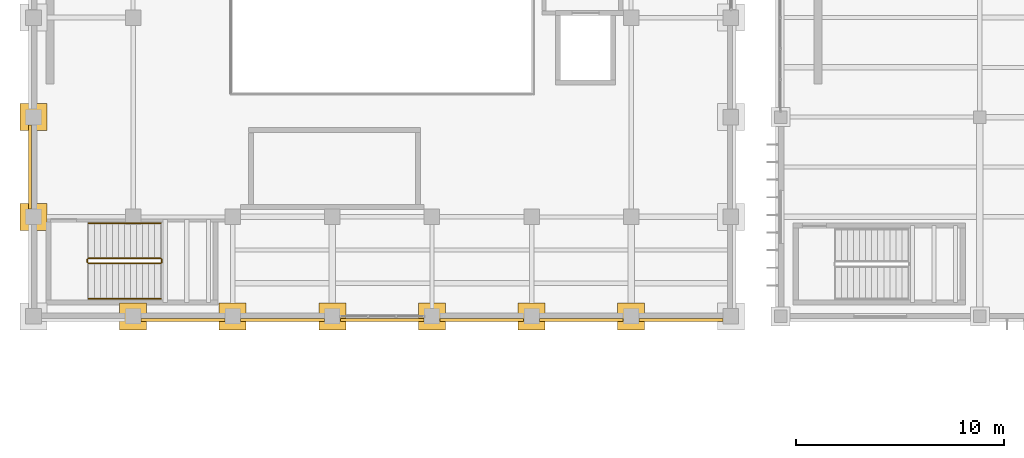
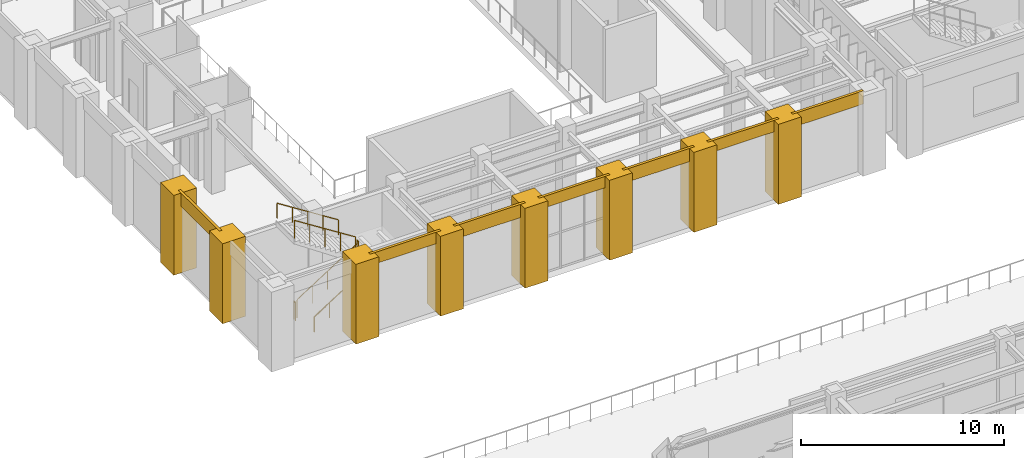
# One storey, part 68 of 83: 15 coverings, 6 railings.
"""IFC4 building model written with IfcOpenShell, lengths in metres."""

from ifc_helpers import new_model, si_unit, direction, frame, origin, origin_2d, place, context, subcontext, project, spatial, polyline, circle, outline, extrude, material, layer, layer_set, type_object, element, save


model = new_model("IFC4")

# Units and contexts
model_context = context("Model", 3, precision=1e-05, world=origin(), true_north=direction((0.0, 1.0)))
body_context = subcontext(model_context, "Body", "Model", "MODEL_VIEW")
ifc_project = project(units=[si_unit("LENGTHUNIT", "METRE"), si_unit("AREAUNIT", "SQUARE_METRE"), si_unit("VOLUMEUNIT", "CUBIC_METRE"), si_unit("PLANEANGLEUNIT", "RADIAN"), si_unit("MASSUNIT", "GRAM", prefix="KILO")], contexts=[model_context])

# Site, building, storey
site_placement = place(None, origin())
site = spatial("IfcSite", under=ifc_project, at=site_placement, CompositionType="ELEMENT")
building_placement = place(site_placement, origin())
building = spatial("IfcBuilding", under=site, at=building_placement, Name="Mavantir Sound Aquarium", CompositionType="ELEMENT")
storey_placement = place(building_placement, frame((0.0, 0.0, 10.5)))
storey = spatial("IfcBuildingStorey", under=building, at=storey_placement, Name="L02", CompositionType="ELEMENT", Elevation=10.5)

# Coverings
ifc_material_1 = material(Name="Honed Coral-Limestone & Glazed Terracotta Rainscreen Cladding", Category="masonry")
ifc_layer = layer(ifc_material_1, 0.06005859375, Name="Honed Coral-Limestone & Glazed Terracotta Rainscreen Cladding")
ifc_layer_set = layer_set([ifc_layer], Name="Honed Coral-Limestone & Glazed Terracotta Rainscreen Cladding")
covering_type = type_object("IfcCoveringType", Name="COV-CLAD-TC", PredefinedType="CLADDING", material=ifc_layer_set)
covering_1_placement = place(storey_placement, frame((0.0, 0.0, 4.008056640625)))
element("IfcCovering", 1, at=covering_1_placement, inside=storey, type_object=covering_type, Name="L02 Postmodern coral-limestone spandrel frieze 305", PredefinedType="CLADDING", context=body_context, shape_type="SweptSolid", body=[
    extrude(outline(polyline([(-0.090087890625, 50.01708984375), (-0.090087890625, 45.98291015625), (-0.239990234375, 45.98291015625), (-0.239990234375, 50.01708984375), (-0.090087890625, 50.01708984375)])), origin(), (0.0, 0.0, 1.0), 0.7919921875),
])
covering_2_placement = place(storey_placement, frame((0.0, 0.0, 4.113037109375)))
element("IfcCovering", 2, at=covering_2_placement, inside=storey, type_object=covering_type, Name="L02 Postmodern coral-limestone spandrel frieze 308", PredefinedType="CLADDING", context=body_context, shape_type="SweptSolid", body=[
    extrude(outline(polyline([(5.18310546875, 40.7099609375), (9.217041015625, 40.7099609375), (9.217041015625, 40.56005859375), (5.18310546875, 40.56005859375), (5.18310546875, 40.7099609375)])), origin(), (0.0, 0.0, 1.0), 0.68701171875),
])
covering_3_placement = place(storey_placement, frame((0.0, 0.0, 4.008056640625)))
element("IfcCovering", 3, at=covering_3_placement, inside=storey, type_object=covering_type, Name="L02 Postmodern coral-limestone spandrel frieze 309", PredefinedType="CLADDING", context=body_context, shape_type="SweptSolid", body=[
    extrude(outline(polyline([(9.98291015625, 40.7099609375), (14.01708984375, 40.7099609375), (14.01708984375, 40.56005859375), (9.98291015625, 40.56005859375), (9.98291015625, 40.7099609375)])), origin(), (0.0, 0.0, 1.0), 0.7919921875),
])
covering_4_placement = place(storey_placement, frame((0.0, 0.0, 4.113037109375)))
element("IfcCovering", 4, at=covering_4_placement, inside=storey, type_object=covering_type, Name="L02 Postmodern coral-limestone spandrel frieze 310", PredefinedType="CLADDING", context=body_context, shape_type="SweptSolid", body=[
    extrude(outline(polyline([(14.782958984375, 40.7099609375), (18.81689453125, 40.7099609375), (18.81689453125, 40.56005859375), (14.782958984375, 40.56005859375), (14.782958984375, 40.7099609375)])), origin(), (0.0, 0.0, 1.0), 0.68701171875),
])
covering_5_placement = place(storey_placement, frame((0.0, 0.0, 4.008056640625)))
element("IfcCovering", 5, at=covering_5_placement, inside=storey, type_object=covering_type, Name="L02 Postmodern coral-limestone spandrel frieze 311", PredefinedType="CLADDING", context=body_context, shape_type="SweptSolid", body=[
    extrude(outline(polyline([(19.5830078125, 40.7099609375), (23.616943359375, 40.7099609375), (23.616943359375, 40.56005859375), (19.5830078125, 40.56005859375), (19.5830078125, 40.7099609375)])), origin(), (0.0, 0.0, 1.0), 0.7919921875),
])
covering_6_placement = place(storey_placement, frame((0.0, 0.0, 4.113037109375)))
element("IfcCovering", 6, at=covering_6_placement, inside=storey, type_object=covering_type, Name="L02 Postmodern coral-limestone spandrel frieze 312", PredefinedType="CLADDING", context=body_context, shape_type="SweptSolid", body=[
    extrude(outline(polyline([(24.383056640625, 40.7099609375), (28.4169921875, 40.7099609375), (28.4169921875, 40.56005859375), (24.383056640625, 40.56005859375), (24.383056640625, 40.7099609375)])), origin(), (0.0, 0.0, 1.0), 0.68701171875),
])
covering_7_placement = place(storey_placement, frame((0.0, 0.0, 4.008056640625)))
element("IfcCovering", 7, at=covering_7_placement, inside=storey, type_object=covering_type, Name="L02 Postmodern coral-limestone spandrel frieze 313", PredefinedType="CLADDING", context=body_context, shape_type="SweptSolid", body=[
    extrude(outline(polyline([(29.18310546875, 40.7099609375), (33.217041015625, 40.7099609375), (33.217041015625, 40.56005859375), (29.18310546875, 40.56005859375), (29.18310546875, 40.7099609375)])), origin(), (0.0, 0.0, 1.0), 0.7919921875),
])
covering_8_placement = place(storey_placement, origin())
element("IfcCovering", 8, at=covering_8_placement, inside=storey, type_object=covering_type, Name="L02 Postmodern coral-limestone pilaster casing 7", PredefinedType="CLADDING", context=body_context, shape_type="SweptSolid", body=[
    extrude(outline(polyline([(-0.64990234375, 44.949951171875), (0.64990234375, 44.949951171875), (0.64990234375, 46.25), (-0.64990234375, 46.25), (-0.64990234375, 44.949951171875)])), origin(), (0.0, 0.0, 1.0), 4.800048828125),
])
covering_9_placement = place(storey_placement, origin())
element("IfcCovering", 9, at=covering_9_placement, inside=storey, type_object=covering_type, Name="L02 Postmodern coral-limestone pilaster casing 11", PredefinedType="CLADDING", context=body_context, shape_type="SweptSolid", body=[
    extrude(outline(polyline([(-0.64990234375, 49.75), (0.64990234375, 49.75), (0.64990234375, 51.050048828125), (-0.64990234375, 51.050048828125), (-0.64990234375, 49.75)])), origin(), (0.0, 0.0, 1.0), 4.800048828125),
])
covering_10_placement = place(storey_placement, origin())
element("IfcCovering", 10, at=covering_10_placement, inside=storey, type_object=covering_type, Name="L02 Postmodern coral-limestone pilaster casing 39", PredefinedType="CLADDING", context=body_context, shape_type="SweptSolid", body=[
    extrude(outline(polyline([(4.14990234375, 40.14990234375), (5.449951171875, 40.14990234375), (5.449951171875, 41.449951171875), (4.14990234375, 41.449951171875), (4.14990234375, 40.14990234375)])), origin(), (0.0, 0.0, 1.0), 4.800048828125),
])
covering_11_placement = place(storey_placement, origin())
element("IfcCovering", 11, at=covering_11_placement, inside=storey, type_object=covering_type, Name="L02 Postmodern coral-limestone pilaster casing 47", PredefinedType="CLADDING", context=body_context, shape_type="SweptSolid", body=[
    extrude(outline(polyline([(8.949951171875, 40.14990234375), (10.25, 40.14990234375), (10.25, 41.449951171875), (8.949951171875, 41.449951171875), (8.949951171875, 40.14990234375)])), origin(), (0.0, 0.0, 1.0), 4.800048828125),
])
covering_12_placement = place(storey_placement, origin())
element("IfcCovering", 12, at=covering_12_placement, inside=storey, type_object=covering_type, Name="L02 Postmodern coral-limestone pilaster casing 55", PredefinedType="CLADDING", context=body_context, shape_type="SweptSolid", body=[
    extrude(outline(polyline([(13.75, 40.14990234375), (15.050048828125, 40.14990234375), (15.050048828125, 41.449951171875), (13.75, 41.449951171875), (13.75, 40.14990234375)])), origin(), (0.0, 0.0, 1.0), 4.800048828125),
])
covering_13_placement = place(storey_placement, origin())
element("IfcCovering", 13, at=covering_13_placement, inside=storey, type_object=covering_type, Name="L02 Postmodern coral-limestone pilaster casing 63", PredefinedType="CLADDING", context=body_context, shape_type="SweptSolid", body=[
    extrude(outline(polyline([(18.550048828125, 40.14990234375), (19.85009765625, 40.14990234375), (19.85009765625, 41.449951171875), (18.550048828125, 41.449951171875), (18.550048828125, 40.14990234375)])), origin(), (0.0, 0.0, 1.0), 4.800048828125),
])
covering_14_placement = place(storey_placement, origin())
element("IfcCovering", 14, at=covering_14_placement, inside=storey, type_object=covering_type, Name="L02 Postmodern coral-limestone pilaster casing 71", PredefinedType="CLADDING", context=body_context, shape_type="SweptSolid", body=[
    extrude(outline(polyline([(23.35009765625, 40.14990234375), (24.64990234375, 40.14990234375), (24.64990234375, 41.449951171875), (23.35009765625, 41.449951171875), (23.35009765625, 40.14990234375)])), origin(), (0.0, 0.0, 1.0), 4.800048828125),
])
covering_15_placement = place(storey_placement, origin())
element("IfcCovering", 15, at=covering_15_placement, inside=storey, type_object=covering_type, Name="L02 Postmodern coral-limestone pilaster casing 79", PredefinedType="CLADDING", context=body_context, shape_type="SweptSolid", body=[
    extrude(outline(polyline([(28.14990234375, 40.14990234375), (29.449951171875, 40.14990234375), (29.449951171875, 41.449951171875), (28.14990234375, 41.449951171875), (28.14990234375, 40.14990234375)])), origin(), (0.0, 0.0, 1.0), 4.800048828125),
])

# Railings
ifc_material_2 = material(Name="Stainless Steel 316 and Laminated Glass Guardrail", Category="steel")
railing_type_1 = type_object("IfcRailingType", Name="RL-GUARD-110", PredefinedType="GUARDRAIL", material=ifc_material_2)
railing_1_placement = place(storey_placement, frame((2.64990234375, 43.35009765625, 0.1845703125)))
element("IfcRailing", 16, at=railing_1_placement, inside=storey, type_object=railing_type_1, Name="L02 ST1 stair guard 1", PredefinedType="GUARDRAIL", context=body_context, shape_type="SweptSolid", body=[
    extrude(circle(Radius=0.02392578125, at=origin_2d()), frame((0.0, 0.0, 1.076171875), z_axis=(0.843573748531, 0.0, 0.537013343214), x_axis=(0.0, 1.0, 0.0)), (0.0, 0.0, 1.0), 4.125244140625),
    extrude(circle(Radius=0.02099609375, at=origin_2d()), origin(), (0.0, 0.0, 1.0), 1.052001953125),
    extrude(circle(Radius=0.02099609375, at=origin_2d()), frame((0.8701171875, 0.0, 0.5537109375)), (0.0, 0.0, 1.0), 1.052001953125),
    extrude(circle(Radius=0.02099609375, at=origin_2d()), frame((1.739990234375, 0.0, 1.107666015625)), (0.0, 0.0, 1.0), 1.052001953125),
    extrude(circle(Radius=0.02099609375, at=origin_2d()), frame((2.60986328125, 0.0, 1.66162109375)), (0.0, 0.0, 1.0), 1.052001953125),
    extrude(circle(Radius=0.02099609375, at=origin_2d()), frame((3.47998046875, 0.0, 2.21533203125)), (0.0, 0.0, 1.0), 1.052001953125),
])
railing_2_placement = place(storey_placement, frame((6.179931640625, 43.39990234375, 2.39990234375)))
element("IfcRailing", 17, at=railing_2_placement, inside=storey, type_object=railing_type_1, Name="L02 ST1 stair guard 2", PredefinedType="GUARDRAIL", context=body_context, shape_type="SweptSolid", body=[
    extrude(circle(Radius=0.02392578125, at=origin_2d()), frame((0.0, 0.0, 1.076171875), z_axis=(0.0, 1.0, 0.0), x_axis=(-1.0, 0.0, 0.0)), (0.0, 0.0, 1.0), 0.150146484375),
    extrude(circle(Radius=0.02099609375, at=origin_2d()), origin(), (0.0, 0.0, 1.0), 1.052001953125),
    extrude(circle(Radius=0.02099609375, at=origin_2d()), frame((0.0, 0.150146484375, 0.0)), (0.0, 0.0, 1.0), 1.052001953125),
])
railing_3_placement = place(storey_placement, frame((6.1298828125, 43.60009765625, 2.584716796875)))
element("IfcRailing", 18, at=railing_3_placement, inside=storey, type_object=railing_type_1, Name="L02 ST1 stair guard 3", PredefinedType="GUARDRAIL", context=body_context, shape_type="SweptSolid", body=[
    extrude(circle(Radius=0.02392578125, at=origin_2d()), frame((0.0, 0.0, 1.076171875), z_axis=(-0.843573748531, 0.0, 0.537013343214), x_axis=(0.0, -1.0, 0.0)), (0.0, 0.0, 1.0), 4.125244140625),
    extrude(circle(Radius=0.02099609375, at=origin_2d()), origin(), (0.0, 0.0, 1.0), 1.052001953125),
    extrude(circle(Radius=0.02099609375, at=origin_2d()), frame((-0.8701171875, 0.0, 0.5537109375)), (0.0, 0.0, 1.0), 1.052001953125),
    extrude(circle(Radius=0.02099609375, at=origin_2d()), frame((-1.739990234375, 0.0, 1.107666015625)), (0.0, 0.0, 1.0), 1.052001953125),
    extrude(circle(Radius=0.02099609375, at=origin_2d()), frame((-2.60986328125, 0.0, 1.66162109375)), (0.0, 0.0, 1.0), 1.052001953125),
    extrude(circle(Radius=0.02099609375, at=origin_2d()), frame((-3.47998046875, 0.0, 2.21533203125)), (0.0, 0.0, 1.0), 1.052001953125),
])
railing_4_placement = place(storey_placement, frame((2.60009765625, 43.39990234375, 0.0)))
element("IfcRailing", 19, at=railing_4_placement, inside=storey, type_object=railing_type_1, Name="L02 ST1 stair guard 4", PredefinedType="GUARDRAIL", context=body_context, shape_type="SweptSolid", body=[
    extrude(circle(Radius=0.02392578125, at=origin_2d()), frame((0.0, 0.0, 1.076171875), z_axis=(0.0, 1.0, 0.0), x_axis=(-1.0, 0.0, 0.0)), (0.0, 0.0, 1.0), 0.150146484375),
    extrude(circle(Radius=0.02099609375, at=origin_2d()), origin(), (0.0, 0.0, 1.0), 1.052001953125),
    extrude(circle(Radius=0.02099609375, at=origin_2d()), frame((0.0, 0.150146484375, 0.0)), (0.0, 0.0, 1.0), 1.052001953125),
])
ifc_material_3 = material(Name="Brushed Stainless Steel 316 Handrail", Category="steel")
railing_type_2 = type_object("IfcRailingType", Name="RL-HR-90", PredefinedType="HANDRAIL", material=ifc_material_3)
railing_5_placement = place(storey_placement, frame((2.64990234375, 41.64990234375, 0.36962890625)))
element("IfcRailing", 20, at=railing_5_placement, inside=storey, type_object=railing_type_2, Name="L02 ST1 stair handrail 1", PredefinedType="HANDRAIL", context=body_context, shape_type="SweptSolid", body=[
    extrude(circle(Radius=0.02392578125, at=origin_2d()), frame((0.0, 0.0, 0.89111328125), z_axis=(0.843573748531, 0.0, 0.537013343214), x_axis=(0.0, 1.0, 0.0)), (0.0, 0.0, 1.0), 4.125244140625),
    extrude(circle(Radius=0.02099609375, at=origin_2d()), origin(), (0.0, 0.0, 1.0), 0.866943359375),
    extrude(circle(Radius=0.02099609375, at=origin_2d()), frame((0.8701171875, 0.0, 0.5537109375)), (0.0, 0.0, 1.0), 0.866943359375),
    extrude(circle(Radius=0.02099609375, at=origin_2d()), frame((1.739990234375, 0.0, 1.107666015625)), (0.0, 0.0, 1.0), 0.866943359375),
    extrude(circle(Radius=0.02099609375, at=origin_2d()), frame((2.60986328125, 0.0, 1.66162109375)), (0.0, 0.0, 1.0), 0.866943359375),
    extrude(circle(Radius=0.02099609375, at=origin_2d()), frame((3.47998046875, 0.0, 2.21533203125)), (0.0, 0.0, 1.0), 0.866943359375),
])
railing_6_placement = place(storey_placement, frame((6.1298828125, 45.300048828125, 2.76953125)))
element("IfcRailing", 21, at=railing_6_placement, inside=storey, type_object=railing_type_2, Name="L02 ST1 stair handrail 2", PredefinedType="HANDRAIL", context=body_context, shape_type="SweptSolid", body=[
    extrude(circle(Radius=0.02392578125, at=origin_2d()), frame((0.0, 0.0, 0.89111328125), z_axis=(-0.843546938479, 0.0, 0.53705545578), x_axis=(0.0, -1.0, 0.0)), (0.0, 0.0, 1.0), 4.12548828125),
    extrude(circle(Radius=0.02099609375, at=origin_2d()), origin(), (0.0, 0.0, 1.0), 0.866943359375),
    extrude(circle(Radius=0.02099609375, at=origin_2d()), frame((-0.8701171875, 0.0, 0.553955078125)), (0.0, 0.0, 1.0), 0.866943359375),
    extrude(circle(Radius=0.02099609375, at=origin_2d()), frame((-1.739990234375, 0.0, 1.10791015625)), (0.0, 0.0, 1.0), 0.866943359375),
    extrude(circle(Radius=0.02099609375, at=origin_2d()), frame((-2.60986328125, 0.0, 1.66162109375)), (0.0, 0.0, 1.0), 0.866943359375),
    extrude(circle(Radius=0.02099609375, at=origin_2d()), frame((-3.47998046875, 0.0, 2.215576171875)), (0.0, 0.0, 1.0), 0.866943359375),
])

save(model, "model.ifc")
